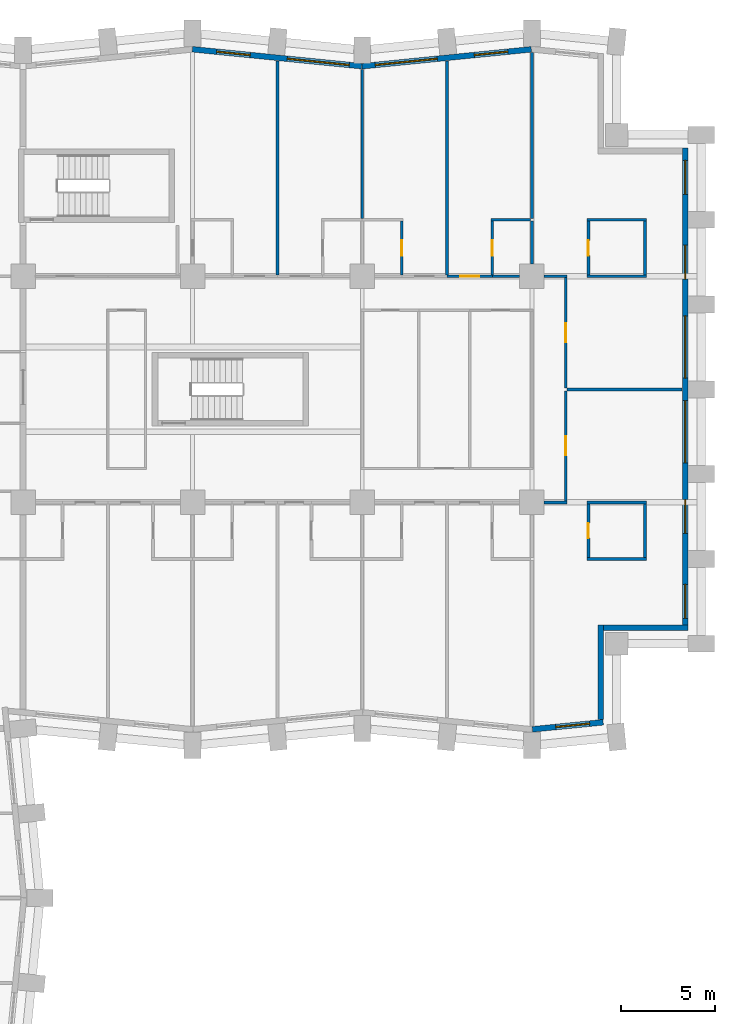
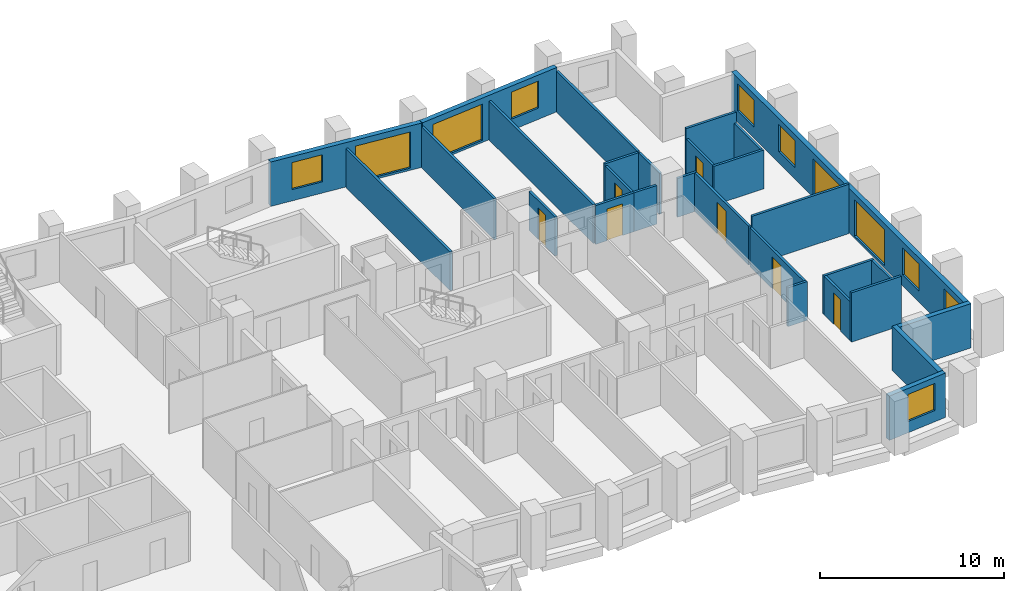
# One storey, part 10 of 13: 29 walls, 11 windows, 7 doors, 18 openings.
"""IFC4 building model written with IfcOpenShell, lengths in metres."""

from ifc_helpers import new_model, si_unit, direction, frame, frame_2d, origin, place, context, subcontext, project, spatial, rectangle, extrude, material, layer, layer_set, type_object, element, fill, save


model = new_model("IFC4")

# Units and contexts
model_context = context("Model", 3, precision=1e-05, world=origin(), true_north=direction((0.0, 1.0)))
body_context = subcontext(model_context, "Body", "Model", "MODEL_VIEW")
ifc_project = project(units=[si_unit("LENGTHUNIT", "METRE"), si_unit("AREAUNIT", "SQUARE_METRE"), si_unit("VOLUMEUNIT", "CUBIC_METRE"), si_unit("PLANEANGLEUNIT", "RADIAN"), si_unit("MASSUNIT", "GRAM", prefix="KILO")], contexts=[model_context])

# Site, building, storey
site_placement = place(None, origin())
site = spatial("IfcSite", under=ifc_project, at=site_placement, CompositionType="ELEMENT")
building_placement = place(site_placement, origin())
building = spatial("IfcBuilding", under=site, at=building_placement, Name="Brondeck Convention Tower", CompositionType="ELEMENT")
storey_placement = place(building_placement, frame((0.0, 0.0, 44.699951171875)))
storey = spatial("IfcBuildingStorey", under=building, at=storey_placement, Name="L08", CompositionType="ELEMENT", Elevation=44.699951171875)

# Wall, opening, window
ifc_material_1 = material(Name="Precast concrete C50/60 bronze finish", Category="concrete")
ifc_layer_1 = layer(ifc_material_1, 0.070068359375, Name="Bronze precast facing")
ifc_material_2 = material(Name="Mineral wool")
ifc_layer_2 = layer(ifc_material_2, 0.159912109375, Name="Insulation")
ifc_material_3 = material(Name="Concrete C35/45", Category="concrete")
ifc_layer_3 = layer(ifc_material_3, 0.070068359375, Name="Backing")
ifc_layer_set_1 = layer_set([ifc_layer_1, ifc_layer_2, ifc_layer_3], Name="External infill wall, precast concrete C50/60 bronze facing")
wall_type_1 = type_object("IfcWallType", Name="External infill wall, precast concrete C50/60 bronze facing", PredefinedType="SOLIDWALL", material=ifc_layer_set_1)
wall_1_placement = place(storey_placement, frame((66.78515625, 27.332763671875, 0.0), z_axis=(0.0, 0.0, 1.0), x_axis=(-0.995038471088, -0.099490909409, 0.0)))
wall_1 = element("IfcWall", 1, at=wall_1_placement, inside=storey, type_object=wall_type_1, Name="ENV-EW-L08-P0-A-S-06", PredefinedType="SOLIDWALL", context=body_context, shape_type="SweptSolid", body=[
    extrude(rectangle(XDim=3.774169921875, YDim=0.300048828125, at=frame_2d((1.88720703125, 0.0))), origin(), (0.0, 0.0, 1.0), 2.949951171875),
])
opening_1_placement = place(wall_1_placement, frame((0.727783203125, 0.0, 0.75)))
opening_1 = element("IfcOpeningElement", 2, at=opening_1_placement, cuts=wall_1, Name="Opening W10", PredefinedType="OPENING", context=body_context, shape_type="SweptSolid", body=[
    extrude(rectangle(XDim=1.800048828125, YDim=1.800048828125, at=frame_2d((0.89990234375, 0.89990234375))), frame((0.0, 0.159912109375, 0.0), z_axis=(0.0, -1.0, 0.0), x_axis=(1.0, 0.0, 0.0)), (0.0, 0.0, 1.0), 0.320068359375),
])
ifc_material_4 = material(Name="Bronze tinted double glazing", Category="glass")
window_type_1 = type_object("IfcWindowType", Name="Punched window, bronze tinted", PartitioningType="SINGLE_PANEL", PredefinedType="WINDOW", material=ifc_material_4)
window_1_placement = place(opening_1_placement, origin())
window_1 = element("IfcWindow", 3, at=window_1_placement, inside=storey, type_object=window_type_1, Name="ENV-WN-L08-P0-A-S-06", OverallHeight=1.800048828125, OverallWidth=1.800048828125, PartitioningType="SINGLE_PANEL", PredefinedType="WINDOW", context=body_context, shape_type="SweptSolid", body=[
    extrude(rectangle(XDim=1.800048828125, YDim=1.800048828125, at=frame_2d((0.89990234375, 0.89990234375))), frame((0.0, 0.030029296875, 0.0), z_axis=(0.0, -1.0, 0.0), x_axis=(1.0, 0.0, 0.0)), (0.0, 0.0, 1.0), 0.06005859375),
])
fill(opening_1, window_1)

# Walls
wall_2_placement = place(storey_placement, frame((66.64990234375, 32.5, 0.0), z_axis=(0.0, 0.0, 1.0), x_axis=(0.0, -1.0, 0.0)))
element("IfcWall", 4, at=wall_2_placement, inside=storey, type_object=wall_type_1, Name="ENV-EW-L08-P0-NC-SEA72-01", PredefinedType="SOLIDWALL", context=body_context, shape_type="SweptSolid", body=[
    extrude(rectangle(XDim=5.02880859375, YDim=0.300048828125, at=frame_2d((2.514404296875, 0.0))), origin(), (0.0, 0.0, 1.0), 2.949951171875),
])
wall_3_placement = place(storey_placement, frame((71.300048828125, 32.35009765625, 0.0), z_axis=(0.0, 0.0, 1.0), x_axis=(-1.0, 0.0, 0.0)))
element("IfcWall", 5, at=wall_3_placement, inside=storey, type_object=wall_type_1, Name="ENV-EW-L08-P0-NC-SEA72-02", PredefinedType="SOLIDWALL", context=body_context, shape_type="SweptSolid", body=[
    extrude(rectangle(XDim=4.5, YDim=0.300048828125, at=frame_2d((2.25, 0.0))), origin(), (0.0, 0.0, 1.0), 2.949951171875),
])

# Wall, openings, windows
wall_4_placement = place(storey_placement, frame((71.14990234375, 57.800048828125, 0.0), z_axis=(0.0, 0.0, 1.0), x_axis=(0.0, -1.0, 0.0)))
wall_4 = element("IfcWall", 6, at=wall_4_placement, inside=storey, type_object=wall_type_1, Name="ENV-EW-L08-P0-A-E72-01", PredefinedType="SOLIDWALL", context=body_context, shape_type="SweptSolid", body=[
    extrude(rectangle(XDim=25.302001953125, YDim=0.300048828125, at=frame_2d((12.65087890625, 0.0))), origin(), (0.0, 0.0, 1.0), 2.949951171875),
])
opening_2_placement = place(wall_4_placement, frame((0.64990234375, 0.0, 0.75)))
opening_2 = element("IfcOpeningElement", 7, at=opening_2_placement, cuts=wall_4, Name="Opening W10", PredefinedType="OPENING", context=body_context, shape_type="SweptSolid", body=[
    extrude(rectangle(XDim=1.800048828125, YDim=1.800048828125, at=frame_2d((0.89990234375, 0.89990234375))), frame((0.0, 0.159912109375, 0.0), z_axis=(0.0, -1.0, 0.0), x_axis=(1.0, 0.0, 0.0)), (0.0, 0.0, 1.0), 0.320068359375),
])
opening_3_placement = place(wall_4_placement, frame((5.14990234375, 0.0, 0.75)))
opening_3 = element("IfcOpeningElement", 8, at=opening_3_placement, cuts=wall_4, Name="Opening W10", PredefinedType="OPENING", context=body_context, shape_type="SweptSolid", body=[
    extrude(rectangle(XDim=1.800048828125, YDim=1.800048828125, at=frame_2d((0.89990234375, 0.89990234375))), frame((0.0, 0.159912109375, 0.0), z_axis=(0.0, -1.0, 0.0), x_axis=(1.0, 0.0, 0.0)), (0.0, 0.0, 1.0), 0.320068359375),
])
opening_4_placement = place(wall_4_placement, frame((8.89990234375, 0.0, 0.14990234375)))
opening_4 = element("IfcOpeningElement", 9, at=opening_4_placement, cuts=wall_4, Name="Opening W9", PredefinedType="OPENING", context=body_context, shape_type="SweptSolid", body=[
    extrude(rectangle(XDim=3.300048828125, YDim=2.39990234375, at=frame_2d((1.64990234375, 1.199951171875))), frame((0.0, 0.159912109375, 0.0), z_axis=(0.0, -1.0, 0.0), x_axis=(1.0, 0.0, 0.0)), (0.0, 0.0, 1.0), 0.320068359375),
])
opening_5_placement = place(wall_4_placement, frame((13.39990234375, 0.0, 0.14990234375)))
opening_5 = element("IfcOpeningElement", 10, at=opening_5_placement, cuts=wall_4, Name="Opening W9", PredefinedType="OPENING", context=body_context, shape_type="SweptSolid", body=[
    extrude(rectangle(XDim=3.300048828125, YDim=2.39990234375, at=frame_2d((1.64990234375, 1.199951171875))), frame((0.0, 0.159912109375, 0.0), z_axis=(0.0, -1.0, 0.0), x_axis=(1.0, 0.0, 0.0)), (0.0, 0.0, 1.0), 0.320068359375),
])
opening_6_placement = place(wall_4_placement, frame((18.64990234375, 0.0, 0.75)))
opening_6 = element("IfcOpeningElement", 11, at=opening_6_placement, cuts=wall_4, Name="Opening W10", PredefinedType="OPENING", context=body_context, shape_type="SweptSolid", body=[
    extrude(rectangle(XDim=1.800048828125, YDim=1.800048828125, at=frame_2d((0.89990234375, 0.89990234375))), frame((0.0, 0.159912109375, 0.0), z_axis=(0.0, -1.0, 0.0), x_axis=(1.0, 0.0, 0.0)), (0.0, 0.0, 1.0), 0.320068359375),
])
opening_7_placement = place(wall_4_placement, frame((23.14990234375, 0.0, 0.75)))
opening_7 = element("IfcOpeningElement", 12, at=opening_7_placement, cuts=wall_4, Name="Opening W10", PredefinedType="OPENING", context=body_context, shape_type="SweptSolid", body=[
    extrude(rectangle(XDim=1.800048828125, YDim=1.800048828125, at=frame_2d((0.89990234375, 0.89990234375))), frame((0.0, 0.159912109375, 0.0), z_axis=(0.0, -1.0, 0.0), x_axis=(1.0, 0.0, 0.0)), (0.0, 0.0, 1.0), 0.320068359375),
])
window_type_2 = type_object("IfcWindowType", Name="Glazed flute window, bronze tinted", PartitioningType="SINGLE_PANEL", PredefinedType="WINDOW", material=ifc_material_4)
window_2_placement = place(opening_4_placement, origin())
window_2 = element("IfcWindow", 13, at=window_2_placement, inside=storey, type_object=window_type_2, Name="ENV-WN-L08-P0-A-E72-04", OverallHeight=2.39990234375, OverallWidth=3.300048828125, PartitioningType="SINGLE_PANEL", PredefinedType="WINDOW", context=body_context, shape_type="SweptSolid", body=[
    extrude(rectangle(XDim=3.300048828125, YDim=2.39990234375, at=frame_2d((1.64990234375, 1.199951171875))), frame((0.0, 0.030029296875, 0.0), z_axis=(0.0, -1.0, 0.0), x_axis=(1.0, 0.0, 0.0)), (0.0, 0.0, 1.0), 0.06005859375),
])
fill(opening_4, window_2)
window_3_placement = place(opening_5_placement, origin())
window_3 = element("IfcWindow", 14, at=window_3_placement, inside=storey, type_object=window_type_2, Name="ENV-WN-L08-P0-A-E72-03", OverallHeight=2.39990234375, OverallWidth=3.300048828125, PartitioningType="SINGLE_PANEL", PredefinedType="WINDOW", context=body_context, shape_type="SweptSolid", body=[
    extrude(rectangle(XDim=3.300048828125, YDim=2.39990234375, at=frame_2d((1.64990234375, 1.199951171875))), frame((0.0, 0.030029296875, 0.0), z_axis=(0.0, -1.0, 0.0), x_axis=(1.0, 0.0, 0.0)), (0.0, 0.0, 1.0), 0.06005859375),
])
fill(opening_5, window_3)
window_4_placement = place(opening_2_placement, origin())
window_4 = element("IfcWindow", 15, at=window_4_placement, inside=storey, type_object=window_type_1, Name="ENV-WN-L08-P0-A-E72-06", OverallHeight=1.800048828125, OverallWidth=1.800048828125, PartitioningType="SINGLE_PANEL", PredefinedType="WINDOW", context=body_context, shape_type="SweptSolid", body=[
    extrude(rectangle(XDim=1.800048828125, YDim=1.800048828125, at=frame_2d((0.89990234375, 0.89990234375))), frame((0.0, 0.030029296875, 0.0), z_axis=(0.0, -1.0, 0.0), x_axis=(1.0, 0.0, 0.0)), (0.0, 0.0, 1.0), 0.06005859375),
])
fill(opening_2, window_4)
window_5_placement = place(opening_3_placement, origin())
window_5 = element("IfcWindow", 16, at=window_5_placement, inside=storey, type_object=window_type_1, Name="ENV-WN-L08-P0-A-E72-05", OverallHeight=1.800048828125, OverallWidth=1.800048828125, PartitioningType="SINGLE_PANEL", PredefinedType="WINDOW", context=body_context, shape_type="SweptSolid", body=[
    extrude(rectangle(XDim=1.800048828125, YDim=1.800048828125, at=frame_2d((0.89990234375, 0.89990234375))), frame((0.0, 0.030029296875, 0.0), z_axis=(0.0, -1.0, 0.0), x_axis=(1.0, 0.0, 0.0)), (0.0, 0.0, 1.0), 0.06005859375),
])
fill(opening_3, window_5)
window_6_placement = place(opening_6_placement, origin())
window_6 = element("IfcWindow", 17, at=window_6_placement, inside=storey, type_object=window_type_1, Name="ENV-WN-L08-P0-A-E72-02", OverallHeight=1.800048828125, OverallWidth=1.800048828125, PartitioningType="SINGLE_PANEL", PredefinedType="WINDOW", context=body_context, shape_type="SweptSolid", body=[
    extrude(rectangle(XDim=1.800048828125, YDim=1.800048828125, at=frame_2d((0.89990234375, 0.89990234375))), frame((0.0, 0.030029296875, 0.0), z_axis=(0.0, -1.0, 0.0), x_axis=(1.0, 0.0, 0.0)), (0.0, 0.0, 1.0), 0.06005859375),
])
fill(opening_6, window_6)
window_7_placement = place(opening_7_placement, origin())
window_7 = element("IfcWindow", 18, at=window_7_placement, inside=storey, type_object=window_type_1, Name="ENV-WN-L08-P0-A-E72-01", OverallHeight=1.800048828125, OverallWidth=1.800048828125, PartitioningType="SINGLE_PANEL", PredefinedType="WINDOW", context=body_context, shape_type="SweptSolid", body=[
    extrude(rectangle(XDim=1.800048828125, YDim=1.800048828125, at=frame_2d((0.89990234375, 0.89990234375))), frame((0.0, 0.030029296875, 0.0), z_axis=(0.0, -1.0, 0.0), x_axis=(1.0, 0.0, 0.0)), (0.0, 0.0, 1.0), 0.06005859375),
])
fill(opening_7, window_7)

wall_5_placement = place(storey_placement, frame((53.985107421875, 62.144287109375, 0.0), z_axis=(0.0, 0.0, 1.0), x_axis=(0.995037993253, 0.099495688264, 0.0)))
wall_5 = element("IfcWall", 19, at=wall_5_placement, inside=storey, type_object=wall_type_1, Name="ENV-EW-L08-P0-A-N-13", PredefinedType="SOLIDWALL", context=body_context, shape_type="SweptSolid", body=[
    extrude(rectangle(XDim=9.030029296875, YDim=0.300048828125, at=frame_2d((4.51513671875, 0.0))), origin(), (0.0, 0.0, 1.0), 2.949951171875),
])
opening_8_placement = place(wall_5_placement, frame((0.711181640625, 0.0, 0.14990234375)))
opening_8 = element("IfcOpeningElement", 20, at=opening_8_placement, cuts=wall_5, Name="Opening W9", PredefinedType="OPENING", context=body_context, shape_type="SweptSolid", body=[
    extrude(rectangle(XDim=3.300048828125, YDim=2.39990234375, at=frame_2d((1.64990234375, 1.199951171875))), frame((0.0, 0.159912109375, 0.0), z_axis=(0.0, -1.0, 0.0), x_axis=(1.0, 0.0, 0.0)), (0.0, 0.0, 1.0), 0.320068359375),
])
opening_9_placement = place(wall_5_placement, frame((5.983642578125, 0.0, 0.75)))
opening_9 = element("IfcOpeningElement", 21, at=opening_9_placement, cuts=wall_5, Name="Opening W10", PredefinedType="OPENING", context=body_context, shape_type="SweptSolid", body=[
    extrude(rectangle(XDim=1.800048828125, YDim=1.800048828125, at=frame_2d((0.89990234375, 0.89990234375))), frame((0.0, 0.159912109375, 0.0), z_axis=(0.0, -1.0, 0.0), x_axis=(1.0, 0.0, 0.0)), (0.0, 0.0, 1.0), 0.320068359375),
])
window_8_placement = place(opening_8_placement, origin())
window_8 = element("IfcWindow", 22, at=window_8_placement, inside=storey, type_object=window_type_2, Name="ENV-WN-L08-P0-A-N-12", OverallHeight=2.39990234375, OverallWidth=3.300048828125, PartitioningType="SINGLE_PANEL", PredefinedType="WINDOW", context=body_context, shape_type="SweptSolid", body=[
    extrude(rectangle(XDim=3.300048828125, YDim=2.39990234375, at=frame_2d((1.64990234375, 1.199951171875))), frame((0.0, 0.030029296875, 0.0), z_axis=(0.0, -1.0, 0.0), x_axis=(1.0, 0.0, 0.0)), (0.0, 0.0, 1.0), 0.06005859375),
])
fill(opening_8, window_8)
window_9_placement = place(opening_9_placement, origin())
window_9 = element("IfcWindow", 23, at=window_9_placement, inside=storey, type_object=window_type_1, Name="ENV-WN-L08-P0-A-N-13", OverallHeight=1.800048828125, OverallWidth=1.800048828125, PartitioningType="SINGLE_PANEL", PredefinedType="WINDOW", context=body_context, shape_type="SweptSolid", body=[
    extrude(rectangle(XDim=1.800048828125, YDim=1.800048828125, at=frame_2d((0.89990234375, 0.89990234375))), frame((0.0, 0.030029296875, 0.0), z_axis=(0.0, -1.0, 0.0), x_axis=(1.0, 0.0, 0.0)), (0.0, 0.0, 1.0), 0.06005859375),
])
fill(opening_9, window_9)

wall_6_placement = place(storey_placement, frame((44.985107421875, 63.04736328125, 0.0), z_axis=(0.0, 0.0, 1.0), x_axis=(0.995035316196, -0.099522457379, 0.0)))
wall_6 = element("IfcWall", 24, at=wall_6_placement, inside=storey, type_object=wall_type_1, Name="ENV-EW-L08-P0-A-N-11", PredefinedType="SOLIDWALL", context=body_context, shape_type="SweptSolid", body=[
    extrude(rectangle(XDim=9.030029296875, YDim=0.300048828125, at=frame_2d((4.51513671875, 0.0))), origin(), (0.0, 0.0, 1.0), 2.949951171875),
])
opening_10_placement = place(wall_6_placement, frame((1.291259765625, 0.0, 0.75)))
opening_10 = element("IfcOpeningElement", 25, at=opening_10_placement, cuts=wall_6, Name="Opening W10", PredefinedType="OPENING", context=body_context, shape_type="SweptSolid", body=[
    extrude(rectangle(XDim=1.800048828125, YDim=1.800048828125, at=frame_2d((0.89990234375, 0.89990234375))), frame((0.0, 0.159912109375, 0.0), z_axis=(0.0, -1.0, 0.0), x_axis=(1.0, 0.0, 0.0)), (0.0, 0.0, 1.0), 0.320068359375),
])
opening_11_placement = place(wall_6_placement, frame((5.063720703125, 0.0, 0.14990234375)))
opening_11 = element("IfcOpeningElement", 26, at=opening_11_placement, cuts=wall_6, Name="Opening W9", PredefinedType="OPENING", context=body_context, shape_type="SweptSolid", body=[
    extrude(rectangle(XDim=3.300048828125, YDim=2.39990234375, at=frame_2d((1.64990234375, 1.199951171875))), frame((0.0, 0.159912109375, 0.0), z_axis=(0.0, -1.0, 0.0), x_axis=(1.0, 0.0, 0.0)), (0.0, 0.0, 1.0), 0.320068359375),
])
window_10_placement = place(opening_11_placement, origin())
window_10 = element("IfcWindow", 27, at=window_10_placement, inside=storey, type_object=window_type_2, Name="ENV-WN-L08-P0-A-N-11", OverallHeight=2.39990234375, OverallWidth=3.300048828125, PartitioningType="SINGLE_PANEL", PredefinedType="WINDOW", context=body_context, shape_type="SweptSolid", body=[
    extrude(rectangle(XDim=3.300048828125, YDim=2.39990234375, at=frame_2d((1.64990234375, 1.199951171875))), frame((0.0, 0.030029296875, 0.0), z_axis=(0.0, -1.0, 0.0), x_axis=(1.0, 0.0, 0.0)), (0.0, 0.0, 1.0), 0.06005859375),
])
fill(opening_11, window_10)
window_11_placement = place(opening_10_placement, origin())
window_11 = element("IfcWindow", 28, at=window_11_placement, inside=storey, type_object=window_type_1, Name="ENV-WN-L08-P0-A-N-10", OverallHeight=1.800048828125, OverallWidth=1.800048828125, PartitioningType="SINGLE_PANEL", PredefinedType="WINDOW", context=body_context, shape_type="SweptSolid", body=[
    extrude(rectangle(XDim=1.800048828125, YDim=1.800048828125, at=frame_2d((0.89990234375, 0.89990234375))), frame((0.0, 0.030029296875, 0.0), z_axis=(0.0, -1.0, 0.0), x_axis=(1.0, 0.0, 0.0)), (0.0, 0.0, 1.0), 0.06005859375),
])
fill(opening_10, window_11)

# Walls
ifc_material_5 = material(Name="Double gypsum board acoustic wall")
ifc_layer_4 = layer(ifc_material_5, 0.14990234375)
ifc_layer_set_2 = layer_set([ifc_layer_4], Name="Guest room party wall 150")
wall_type_2 = type_object("IfcWallType", Name="Guest room party wall 150", PredefinedType="PARTITIONING", material=ifc_layer_set_2)
wall_7_placement = place(storey_placement, frame((65.925048828125, 36.0, 0.0), z_axis=(0.0, 0.0, 1.0), x_axis=(1.0, 0.0, 0.0)))
element("IfcWall", 29, at=wall_7_placement, inside=storey, type_object=wall_type_2, Name="FLR-L08-W072", PredefinedType="PARTITIONING", context=body_context, shape_type="SweptSolid", body=[
    extrude(rectangle(XDim=3.14990234375, YDim=0.14990234375, at=frame_2d((1.574951171875, 0.0))), origin(), (0.0, 0.0, 1.0), 3.280029296875),
])
wall_8_placement = place(storey_placement, frame((69.0, 36.074951171875, 0.0), z_axis=(0.0, 0.0, 1.0), x_axis=(0.0, 1.0, 0.0)))
element("IfcWall", 30, at=wall_8_placement, inside=storey, type_object=wall_type_2, Name="FLR-L08-W076", PredefinedType="PARTITIONING", context=body_context, shape_type="SweptSolid", body=[
    extrude(rectangle(XDim=2.85009765625, YDim=0.14990234375, at=frame_2d((1.425048828125, 0.0))), origin(), (0.0, 0.0, 1.0), 2.580078125),
])

# Wall, opening, door
wall_9_placement = place(storey_placement, frame((66.0, 38.925048828125, 0.0), z_axis=(0.0, 0.0, 1.0), x_axis=(0.0, -1.0, 0.0)))
wall_9 = element("IfcWall", 31, at=wall_9_placement, inside=storey, type_object=wall_type_2, Name="FLR-L08-W087", PredefinedType="PARTITIONING", context=body_context, shape_type="SweptSolid", body=[
    extrude(rectangle(XDim=2.85009765625, YDim=0.14990234375, at=frame_2d((1.425048828125, 0.0))), origin(), (0.0, 0.0, 1.0), 2.580078125),
])
opening_12_placement = place(wall_9_placement, frame((1.02490234375, 0.0, 0.0)))
opening_12 = element("IfcOpeningElement", 32, at=opening_12_placement, cuts=wall_9, Name="Opening H1-029", PredefinedType="OPENING", context=body_context, shape_type="SweptSolid", body=[
    extrude(rectangle(XDim=0.800048828125, YDim=2.10009765625, at=frame_2d((0.39990234375, 1.050048828125))), frame((0.0, 0.0849609375, 0.0), z_axis=(0.0, -1.0, 0.0), x_axis=(1.0, 0.0, 0.0)), (0.0, 0.0, 1.0), 0.169921875),
])
ifc_material_6 = material(Name="Solid timber door leaf", Category="wood")
door_type_1 = type_object("IfcDoorType", Name="En-suite door 800", OperationType="NOTDEFINED", PredefinedType="DOOR", material=ifc_material_6)
door_1_placement = place(opening_12_placement, origin())
door_1 = element("IfcDoor", 33, at=door_1_placement, inside=storey, type_object=door_type_1, Name="Door H1-029", OperationType="SINGLE_SWING_RIGHT", OverallHeight=2.10009765625, OverallWidth=0.800048828125, PredefinedType="DOOR", context=body_context, shape_type="SweptSolid", body=[
    extrude(rectangle(XDim=0.800048828125, YDim=2.10009765625, at=frame_2d((0.39990234375, 1.050048828125))), frame((0.0, 0.02490234375, 0.0), z_axis=(0.0, -1.0, 0.0), x_axis=(1.0, 0.0, 0.0)), (0.0, 0.0, 1.0), 0.050048828125),
])
fill(opening_12, door_1)

# Walls
wall_10_placement = place(storey_placement, frame((64.875, 39.0, 0.0), z_axis=(0.0, 0.0, 1.0), x_axis=(-1.0, 0.0, 0.0)))
element("IfcWall", 34, at=wall_10_placement, inside=storey, type_object=wall_type_2, Name="FLR-L08-W100", PredefinedType="PARTITIONING", context=body_context, shape_type="SweptSolid", body=[
    extrude(rectangle(XDim=1.219970703125, YDim=0.14990234375, at=frame_2d((0.60986328125, 0.0))), origin(), (0.0, 0.0, 1.0), 2.580078125),
])
wall_11_placement = place(storey_placement, frame((69.074951171875, 39.0, 0.0), z_axis=(0.0, 0.0, 1.0), x_axis=(-1.0, 0.0, 0.0)))
element("IfcWall", 35, at=wall_11_placement, inside=storey, type_object=wall_type_2, Name="FLR-L08-W101", PredefinedType="PARTITIONING", context=body_context, shape_type="SweptSolid", body=[
    extrude(rectangle(XDim=3.14990234375, YDim=0.14990234375, at=frame_2d((1.574951171875, 0.0))), origin(), (0.0, 0.0, 1.0), 2.580078125),
])

# Wall, opening, door
wall_12_placement = place(storey_placement, frame((64.800048828125, 44.925048828125, 0.0), z_axis=(0.0, 0.0, 1.0), x_axis=(0.0, -1.0, 0.0)))
wall_12 = element("IfcWall", 36, at=wall_12_placement, inside=storey, type_object=wall_type_2, Name="FLR-L08-W112", PredefinedType="PARTITIONING", context=body_context, shape_type="SweptSolid", body=[
    extrude(rectangle(XDim=5.85009765625, YDim=0.14990234375, at=frame_2d((2.925048828125, 0.0))), origin(), (0.0, 0.0, 1.0), 2.580078125),
])
opening_13_placement = place(wall_12_placement, frame((2.425048828125, 0.0, 0.0)))
opening_13 = element("IfcOpeningElement", 37, at=opening_13_placement, cuts=wall_12, Name="Opening H1-028", PredefinedType="OPENING", context=body_context, shape_type="SweptSolid", body=[
    extrude(rectangle(XDim=1.0, YDim=2.10009765625, at=frame_2d((0.5, 1.050048828125))), frame((0.0, 0.0849609375, 0.0), z_axis=(0.0, -1.0, 0.0), x_axis=(1.0, 0.0, 0.0)), (0.0, 0.0, 1.0), 0.169921875),
])
ifc_material_7 = material(Name="Solid timber fire door leaf", Category="wood")
door_type_2 = type_object("IfcDoorType", Name="Guest room door 1000", OperationType="NOTDEFINED", PredefinedType="DOOR", material=ifc_material_7)
door_2_placement = place(opening_13_placement, origin())
door_2 = element("IfcDoor", 38, at=door_2_placement, inside=storey, type_object=door_type_2, Name="Door H1-028", OperationType="SINGLE_SWING_LEFT", OverallHeight=2.10009765625, OverallWidth=1.0, PredefinedType="DOOR", context=body_context, shape_type="SweptSolid", body=[
    extrude(rectangle(XDim=1.0, YDim=2.10009765625, at=frame_2d((0.5, 1.050048828125))), frame((0.0, 0.02490234375, 0.0), z_axis=(0.0, -1.0, 0.0), x_axis=(1.0, 0.0, 0.0)), (0.0, 0.0, 1.0), 0.050048828125),
])
fill(opening_13, door_2)

# Wall
wall_13_placement = place(storey_placement, frame((70.97998046875, 45.0, 0.0), z_axis=(0.0, 0.0, 1.0), x_axis=(-1.0, 0.0, 0.0)))
element("IfcWall", 39, at=wall_13_placement, inside=storey, type_object=wall_type_2, Name="FLR-L08-W113", PredefinedType="PARTITIONING", context=body_context, shape_type="SweptSolid", body=[
    extrude(rectangle(XDim=6.10498046875, YDim=0.14990234375, at=frame_2d((3.052490234375, 0.0))), origin(), (0.0, 0.0, 1.0), 3.280029296875),
])

# Wall, opening, door
wall_14_placement = place(storey_placement, frame((64.800048828125, 50.925048828125, 0.0), z_axis=(0.0, 0.0, 1.0), x_axis=(0.0, -1.0, 0.0)))
wall_14 = element("IfcWall", 40, at=wall_14_placement, inside=storey, type_object=wall_type_2, Name="FLR-L08-W128", PredefinedType="PARTITIONING", context=body_context, shape_type="SweptSolid", body=[
    extrude(rectangle(XDim=5.85009765625, YDim=0.14990234375, at=frame_2d((2.925048828125, 0.0))), origin(), (0.0, 0.0, 1.0), 2.580078125),
])
opening_14_placement = place(wall_14_placement, frame((2.425048828125, 0.0, 0.0)))
opening_14 = element("IfcOpeningElement", 41, at=opening_14_placement, cuts=wall_14, Name="Opening H1-026", PredefinedType="OPENING", context=body_context, shape_type="SweptSolid", body=[
    extrude(rectangle(XDim=1.0, YDim=2.10009765625, at=frame_2d((0.5, 1.050048828125))), frame((0.0, 0.0849609375, 0.0), z_axis=(0.0, -1.0, 0.0), x_axis=(1.0, 0.0, 0.0)), (0.0, 0.0, 1.0), 0.169921875),
])
door_3_placement = place(opening_14_placement, origin())
door_3 = element("IfcDoor", 42, at=door_3_placement, inside=storey, type_object=door_type_2, Name="Door H1-026", OperationType="SINGLE_SWING_LEFT", OverallHeight=2.10009765625, OverallWidth=1.0, PredefinedType="DOOR", context=body_context, shape_type="SweptSolid", body=[
    extrude(rectangle(XDim=1.0, YDim=2.10009765625, at=frame_2d((0.5, 1.050048828125))), frame((0.0, 0.02490234375, 0.0), z_axis=(0.0, -1.0, 0.0), x_axis=(1.0, 0.0, 0.0)), (0.0, 0.0, 1.0), 0.050048828125),
])
fill(opening_14, door_3)

wall_15_placement = place(storey_placement, frame((58.5, 51.0, 0.0), z_axis=(0.0, 0.0, 1.0), x_axis=(1.0, 0.0, 0.0)))
wall_15 = element("IfcWall", 43, at=wall_15_placement, inside=storey, type_object=wall_type_2, Name="FLR-L08-W139", PredefinedType="PARTITIONING", context=body_context, shape_type="SweptSolid", body=[
    extrude(rectangle(XDim=2.39990234375, YDim=0.14990234375, at=frame_2d((1.199951171875, 0.0))), origin(), (0.0, 0.0, 1.0), 2.580078125),
])
opening_15_placement = place(wall_15_placement, frame((0.699951171875, 0.0, 0.0)))
opening_15 = element("IfcOpeningElement", 44, at=opening_15_placement, cuts=wall_15, Name="Opening H1-008", PredefinedType="OPENING", context=body_context, shape_type="SweptSolid", body=[
    extrude(rectangle(XDim=1.0, YDim=2.10009765625, at=frame_2d((0.5, 1.050048828125))), frame((0.0, 0.0849609375, 0.0), z_axis=(0.0, -1.0, 0.0), x_axis=(1.0, 0.0, 0.0)), (0.0, 0.0, 1.0), 0.169921875),
])
door_4_placement = place(opening_15_placement, origin())
door_4 = element("IfcDoor", 45, at=door_4_placement, inside=storey, type_object=door_type_2, Name="Door H1-008", OperationType="SINGLE_SWING_LEFT", OverallHeight=2.10009765625, OverallWidth=1.0, PredefinedType="DOOR", context=body_context, shape_type="SweptSolid", body=[
    extrude(rectangle(XDim=1.0, YDim=2.10009765625, at=frame_2d((0.5, 1.050048828125))), frame((0.0, 0.02490234375, 0.0), z_axis=(0.0, -1.0, 0.0), x_axis=(1.0, 0.0, 0.0)), (0.0, 0.0, 1.0), 0.050048828125),
])
fill(opening_15, door_4)

# Walls
wall_16_placement = place(storey_placement, frame((60.89990234375, 51.0, 0.0), z_axis=(0.0, 0.0, 1.0), x_axis=(1.0, 0.0, 0.0)))
element("IfcWall", 46, at=wall_16_placement, inside=storey, type_object=wall_type_2, Name="FLR-L08-W140", PredefinedType="PARTITIONING", context=body_context, shape_type="SweptSolid", body=[
    extrude(rectangle(XDim=1.445068359375, YDim=0.14990234375, at=frame_2d((0.72265625, 0.0))), origin(), (0.0, 0.0, 1.0), 2.580078125),
])
wall_17_placement = place(storey_placement, frame((63.655029296875, 51.0, 0.0), z_axis=(0.0, 0.0, 1.0), x_axis=(1.0, 0.0, 0.0)))
element("IfcWall", 47, at=wall_17_placement, inside=storey, type_object=wall_type_2, Name="FLR-L08-W141", PredefinedType="PARTITIONING", context=body_context, shape_type="SweptSolid", body=[
    extrude(rectangle(XDim=1.219970703125, YDim=0.14990234375, at=frame_2d((0.60986328125, 0.0))), origin(), (0.0, 0.0, 1.0), 2.580078125),
])
wall_18_placement = place(storey_placement, frame((65.925048828125, 51.0, 0.0), z_axis=(0.0, 0.0, 1.0), x_axis=(1.0, 0.0, 0.0)))
element("IfcWall", 48, at=wall_18_placement, inside=storey, type_object=wall_type_2, Name="FLR-L08-W142", PredefinedType="PARTITIONING", context=body_context, shape_type="SweptSolid", body=[
    extrude(rectangle(XDim=3.14990234375, YDim=0.14990234375, at=frame_2d((1.574951171875, 0.0))), origin(), (0.0, 0.0, 1.0), 2.580078125),
])

# Wall, opening, door
wall_19_placement = place(storey_placement, frame((56.10009765625, 51.074951171875, 0.0), z_axis=(0.0, 0.0, 1.0), x_axis=(0.0, 1.0, 0.0)))
wall_19 = element("IfcWall", 49, at=wall_19_placement, inside=storey, type_object=wall_type_2, Name="FLR-L08-W145", PredefinedType="PARTITIONING", context=body_context, shape_type="SweptSolid", body=[
    extrude(rectangle(XDim=2.85009765625, YDim=0.14990234375, at=frame_2d((1.425048828125, 0.0))), origin(), (0.0, 0.0, 1.0), 2.580078125),
])
opening_16_placement = place(wall_19_placement, frame((1.02490234375, 0.0, 0.0)))
opening_16 = element("IfcOpeningElement", 50, at=opening_16_placement, cuts=wall_19, Name="Opening H1-007", PredefinedType="OPENING", context=body_context, shape_type="SweptSolid", body=[
    extrude(rectangle(XDim=0.800048828125, YDim=2.10009765625, at=frame_2d((0.39990234375, 1.050048828125))), frame((0.0, 0.0849609375, 0.0), z_axis=(0.0, -1.0, 0.0), x_axis=(1.0, 0.0, 0.0)), (0.0, 0.0, 1.0), 0.169921875),
])
door_5_placement = place(opening_16_placement, origin())
door_5 = element("IfcDoor", 51, at=door_5_placement, inside=storey, type_object=door_type_1, Name="Door H1-007", OperationType="SINGLE_SWING_LEFT", OverallHeight=2.10009765625, OverallWidth=0.800048828125, PredefinedType="DOOR", context=body_context, shape_type="SweptSolid", body=[
    extrude(rectangle(XDim=0.800048828125, YDim=2.10009765625, at=frame_2d((0.39990234375, 1.050048828125))), frame((0.0, 0.02490234375, 0.0), z_axis=(0.0, -1.0, 0.0), x_axis=(1.0, 0.0, 0.0)), (0.0, 0.0, 1.0), 0.050048828125),
])
fill(opening_16, door_5)

# Wall
wall_20_placement = place(storey_placement, frame((69.0, 51.074951171875, 0.0), z_axis=(0.0, 0.0, 1.0), x_axis=(0.0, 1.0, 0.0)))
element("IfcWall", 52, at=wall_20_placement, inside=storey, type_object=wall_type_2, Name="FLR-L08-W146", PredefinedType="PARTITIONING", context=body_context, shape_type="SweptSolid", body=[
    extrude(rectangle(XDim=2.85009765625, YDim=0.14990234375, at=frame_2d((1.425048828125, 0.0))), origin(), (0.0, 0.0, 1.0), 2.580078125),
])

# Wall, opening, door
wall_21_placement = place(storey_placement, frame((60.89990234375, 53.925048828125, 0.0), z_axis=(0.0, 0.0, 1.0), x_axis=(0.0, -1.0, 0.0)))
wall_21 = element("IfcWall", 53, at=wall_21_placement, inside=storey, type_object=wall_type_2, Name="FLR-L08-W153", PredefinedType="PARTITIONING", context=body_context, shape_type="SweptSolid", body=[
    extrude(rectangle(XDim=2.85009765625, YDim=0.14990234375, at=frame_2d((1.425048828125, 0.0))), origin(), (0.0, 0.0, 1.0), 2.580078125),
])
opening_17_placement = place(wall_21_placement, frame((1.02490234375, 0.0, 0.0)))
opening_17 = element("IfcOpeningElement", 54, at=opening_17_placement, cuts=wall_21, Name="Opening H1-009", PredefinedType="OPENING", context=body_context, shape_type="SweptSolid", body=[
    extrude(rectangle(XDim=0.800048828125, YDim=2.10009765625, at=frame_2d((0.39990234375, 1.050048828125))), frame((0.0, 0.0849609375, 0.0), z_axis=(0.0, -1.0, 0.0), x_axis=(1.0, 0.0, 0.0)), (0.0, 0.0, 1.0), 0.169921875),
])
door_6_placement = place(opening_17_placement, origin())
door_6 = element("IfcDoor", 55, at=door_6_placement, inside=storey, type_object=door_type_1, Name="Door H1-009", OperationType="SINGLE_SWING_LEFT", OverallHeight=2.10009765625, OverallWidth=0.800048828125, PredefinedType="DOOR", context=body_context, shape_type="SweptSolid", body=[
    extrude(rectangle(XDim=0.800048828125, YDim=2.10009765625, at=frame_2d((0.39990234375, 1.050048828125))), frame((0.0, 0.02490234375, 0.0), z_axis=(0.0, -1.0, 0.0), x_axis=(1.0, 0.0, 0.0)), (0.0, 0.0, 1.0), 0.050048828125),
])
fill(opening_17, door_6)

# Wall
wall_22_placement = place(storey_placement, frame((63.0, 53.925048828125, 0.0), z_axis=(0.0, 0.0, 1.0), x_axis=(0.0, -1.0, 0.0)))
element("IfcWall", 56, at=wall_22_placement, inside=storey, type_object=wall_type_2, Name="FLR-L08-W154", PredefinedType="PARTITIONING", context=body_context, shape_type="SweptSolid", body=[
    extrude(rectangle(XDim=2.27001953125, YDim=0.14990234375, at=frame_2d((1.135009765625, 0.0))), origin(), (0.0, 0.0, 1.0), 2.72998046875),
])

# Wall, opening, door
wall_23_placement = place(storey_placement, frame((66.0, 53.925048828125, 0.0), z_axis=(0.0, 0.0, 1.0), x_axis=(0.0, -1.0, 0.0)))
wall_23 = element("IfcWall", 57, at=wall_23_placement, inside=storey, type_object=wall_type_2, Name="FLR-L08-W155", PredefinedType="PARTITIONING", context=body_context, shape_type="SweptSolid", body=[
    extrude(rectangle(XDim=2.85009765625, YDim=0.14990234375, at=frame_2d((1.425048828125, 0.0))), origin(), (0.0, 0.0, 1.0), 2.580078125),
])
opening_18_placement = place(wall_23_placement, frame((1.02490234375, 0.0, 0.0)))
opening_18 = element("IfcOpeningElement", 58, at=opening_18_placement, cuts=wall_23, Name="Opening H1-027", PredefinedType="OPENING", context=body_context, shape_type="SweptSolid", body=[
    extrude(rectangle(XDim=0.800048828125, YDim=2.10009765625, at=frame_2d((0.39990234375, 1.050048828125))), frame((0.0, 0.0849609375, 0.0), z_axis=(0.0, -1.0, 0.0), x_axis=(1.0, 0.0, 0.0)), (0.0, 0.0, 1.0), 0.169921875),
])
door_7_placement = place(opening_18_placement, origin())
door_7 = element("IfcDoor", 59, at=door_7_placement, inside=storey, type_object=door_type_1, Name="Door H1-027", OperationType="SINGLE_SWING_RIGHT", OverallHeight=2.10009765625, OverallWidth=0.800048828125, PredefinedType="DOOR", context=body_context, shape_type="SweptSolid", body=[
    extrude(rectangle(XDim=0.800048828125, YDim=2.10009765625, at=frame_2d((0.39990234375, 1.050048828125))), frame((0.0, 0.02490234375, 0.0), z_axis=(0.0, -1.0, 0.0), x_axis=(1.0, 0.0, 0.0)), (0.0, 0.0, 1.0), 0.050048828125),
])
fill(opening_18, door_7)

# Walls
wall_24_placement = place(storey_placement, frame((62.925048828125, 54.0, 0.0), z_axis=(0.0, 0.0, 1.0), x_axis=(-1.0, 0.0, 0.0)))
element("IfcWall", 60, at=wall_24_placement, inside=storey, type_object=wall_type_2, Name="FLR-L08-W160", PredefinedType="PARTITIONING", context=body_context, shape_type="SweptSolid", body=[
    extrude(rectangle(XDim=2.10009765625, YDim=0.14990234375, at=frame_2d((1.050048828125, 0.0))), origin(), (0.0, 0.0, 1.0), 2.72998046875),
])
wall_25_placement = place(storey_placement, frame((69.074951171875, 54.0, 0.0), z_axis=(0.0, 0.0, 1.0), x_axis=(-1.0, 0.0, 0.0)))
element("IfcWall", 61, at=wall_25_placement, inside=storey, type_object=wall_type_2, Name="FLR-L08-W161", PredefinedType="PARTITIONING", context=body_context, shape_type="SweptSolid", body=[
    extrude(rectangle(XDim=3.14990234375, YDim=0.14990234375, at=frame_2d((1.574951171875, 0.0))), origin(), (0.0, 0.0, 1.0), 3.280029296875),
])
wall_26_placement = place(storey_placement, frame((54.0, 61.97509765625, 0.0), z_axis=(0.0, 0.0, 1.0), x_axis=(0.0, -1.0, 0.0)))
element("IfcWall", 62, at=wall_26_placement, inside=storey, type_object=wall_type_2, Name="FLR-L08-W163", PredefinedType="PARTITIONING", context=body_context, shape_type="SweptSolid", body=[
    extrude(rectangle(XDim=7.900146484375, YDim=0.14990234375, at=frame_2d((3.9501953125, 0.0))), origin(), (0.0, 0.0, 1.0), 2.72998046875),
])
for number, where, z_axis, x_axis, name in (
    (63, (49.5, 62.425048828125, 0.0), (0.0, 0.0, 1.0), (0.0, -1.0, 0.0), "FLR-L08-W165"),
    (64, (58.5, 62.425048828125, 0.0), (0.0, 0.0, 1.0), (0.0, -1.0, 0.0), "FLR-L08-W166"),
):
    element("IfcWall", number, at=place(storey_placement, frame(where, z_axis=z_axis, x_axis=x_axis)), inside=storey, type_object=wall_type_2, Name=name, PredefinedType="PARTITIONING", context=body_context, shape_type="SweptSolid", body=[
        extrude(rectangle(XDim=11.35009765625, YDim=0.14990234375, at=frame_2d((5.675048828125, 0.0))), origin(), (0.0, 0.0, 1.0), 2.580078125),
    ])
wall_27_placement = place(storey_placement, frame((63.0, 62.875, 0.0), z_axis=(0.0, 0.0, 1.0), x_axis=(0.0, -1.0, 0.0)))
element("IfcWall", 65, at=wall_27_placement, inside=storey, type_object=wall_type_2, Name="FLR-L08-W167", PredefinedType="PARTITIONING", context=body_context, shape_type="SweptSolid", body=[
    extrude(rectangle(XDim=8.800048828125, YDim=0.14990234375, at=frame_2d((4.39990234375, 0.0))), origin(), (0.0, 0.0, 1.0), 2.72998046875),
])

save(model, "model.ifc")
